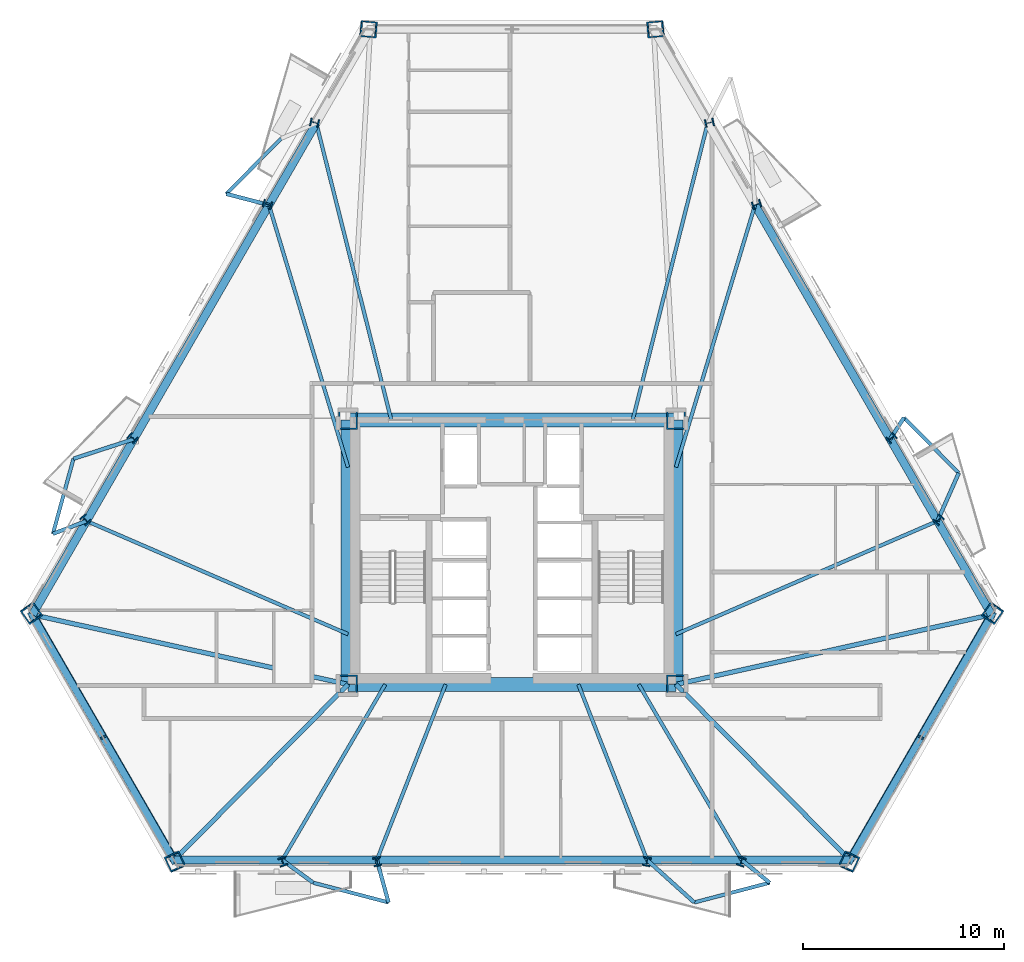
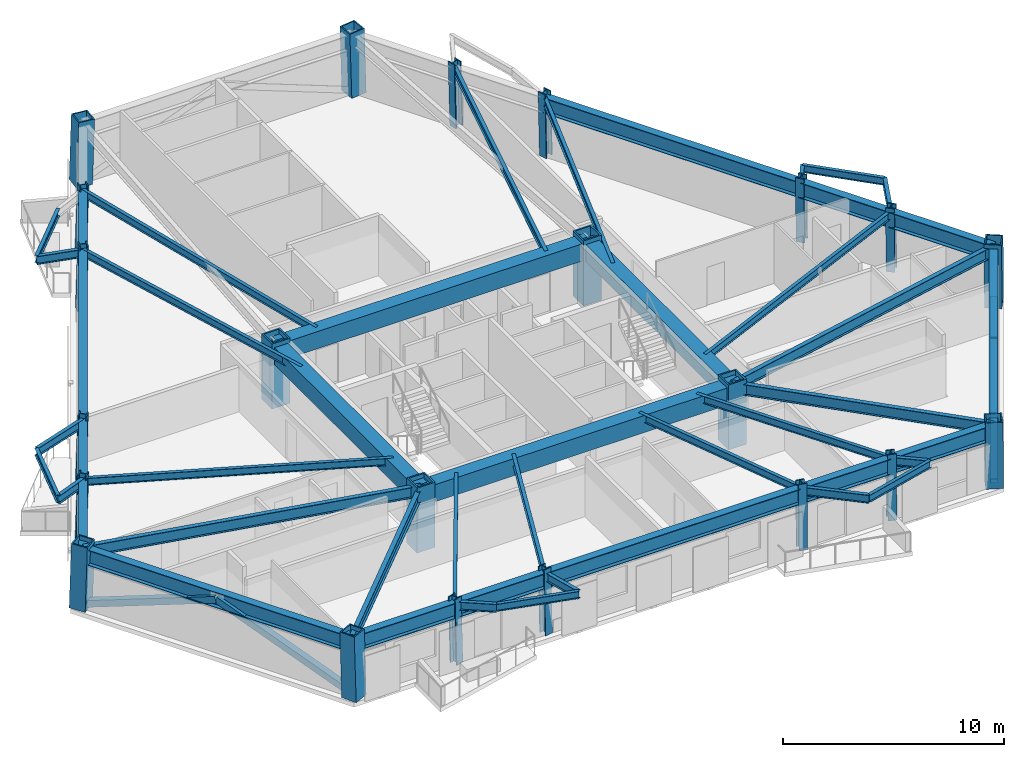
# One storey, part 1 of 10: 46 beams, 22 columns, 4 members.
"""IFC4 building model written with IfcOpenShell, lengths in metres."""

import ifcopenshell
import ifcopenshell.guid

model = None  # the IFC model being written
_history = None  # IfcOwnerHistory: only IFC2X3 demands one
_inside = {}  # id of a spatial element -> (the spatial element, [elements in it])
_under = {}  # id of a project, library or spatial element -> (it, [spatial elements below it])
_declared = {}  # id of a project -> (the project, [libraries it declares])
_typed = {}  # id of a type object -> (the type object, [elements of that type])
_made_of = {}  # id of a material, layer set ... -> (it, [elements and type objects made of it])


def new_model(schema):
    """Start an empty IFC model of exactly this schema.

    Asked for "IFC4X3", IfcOpenShell would pick the latest addendum, in which some entities
    have other attributes; the version numbers below select the first issue.
    IFC2X3 requires an IfcOwnerHistory on every rooted entity: one is made here for all.
    """
    global model, _history
    if schema == "IFC4X3":
        model = ifcopenshell.file(schema_version=(4, 3, 0, 0))
    else:
        model = ifcopenshell.file(schema=schema)
    _inside.clear()
    _under.clear()
    _declared.clear()
    _typed.clear()
    _made_of.clear()
    _history = None
    if model.schema == "IFC2X3":
        org = make("IfcOrganization", Name="unknown")
        user = make(
            "IfcPersonAndOrganization",
            ThePerson=make("IfcPerson", FamilyName="unknown"),
            TheOrganization=org,
        )
        app = make(
            "IfcApplication",
            ApplicationDeveloper=org,
            Version="unknown",
            ApplicationFullName="unknown",
            ApplicationIdentifier="unknown",
        )
        _history = make(
            "IfcOwnerHistory",
            OwningUser=user,
            OwningApplication=app,
            ChangeAction="ADDED",
            CreationDate=0,
        )
    return model


def make(cls, **values):
    """One entity of the class cls with the attributes given. An attribute that is None is left unset."""
    return model.create_entity(
        cls, **{name: value for name, value in values.items() if value is not None}
    )


def rooted(cls, **values):
    """An entity with a GlobalId (a new one), such as an element, a storey or a relation."""
    return make(cls, GlobalId=ifcopenshell.guid.new(), OwnerHistory=_history, **values)


def si_unit(unit_type, name, prefix=None):
    """IfcSIUnit, for example si_unit("LENGTHUNIT", "METRE", prefix="MILLI")."""
    return make("IfcSIUnit", UnitType=unit_type, Prefix=prefix, Name=name)


def assignment(units):
    """IfcUnitAssignment: the units of a project."""
    return None if units is None else make("IfcUnitAssignment", Units=units)


def point(xyz):
    """IfcCartesianPoint."""
    return None if xyz is None else make("IfcCartesianPoint", Coordinates=xyz)


def direction(xyz):
    """IfcDirection."""
    return None if xyz is None else make("IfcDirection", DirectionRatios=xyz)


def frame(location, z_axis=None, x_axis=None):
    """IfcAxis2Placement3D, a coordinate frame: its origin and axes. An axis left out is left unset."""
    return make(
        "IfcAxis2Placement3D",
        Location=point(location),
        Axis=direction(z_axis),
        RefDirection=direction(x_axis),
    )


def frame_2d(location, x_axis=None):
    """IfcAxis2Placement2D, a coordinate frame in the plane: its origin and x axis."""
    return make(
        "IfcAxis2Placement2D", Location=point(location), RefDirection=direction(x_axis)
    )


def origin():
    """The frame at (0, 0, 0) with its axes left unset."""
    return frame((0.0, 0.0, 0.0))


def origin_2d():
    """The frame at (0, 0) in the plane with its x axis left unset."""
    return frame_2d((0.0, 0.0))


def place(relative_to, where):
    """IfcLocalPlacement: puts the frame where relative to a parent placement (None: the world)."""
    return make(
        "IfcLocalPlacement", PlacementRelTo=relative_to, RelativePlacement=where
    )


def context(
    kind, dimensions, precision=None, world=None, true_north=None, identifier=None
):
    """IfcGeometricRepresentationContext, for example the 3D "Model" context."""
    return make(
        "IfcGeometricRepresentationContext",
        ContextIdentifier=identifier,
        ContextType=kind,
        CoordinateSpaceDimension=dimensions,
        Precision=precision,
        WorldCoordinateSystem=world,
        TrueNorth=true_north,
    )


def subcontext(parent, identifier, kind, view, scale=None):
    """IfcGeometricRepresentationSubContext, for example "Body" below "Model"."""
    return make(
        "IfcGeometricRepresentationSubContext",
        ContextIdentifier=identifier,
        ContextType=kind,
        ParentContext=parent,
        TargetScale=scale,
        TargetView=view,
    )


def project(units=None, contexts=None):
    """IfcProject with its units and contexts."""
    return rooted(
        "IfcProject",
        Name="project",
        RepresentationContexts=contexts,
        UnitsInContext=assignment(units),
    )


def spatial(cls, under=None, at=None, **own):
    """A site, building, storey or space (cls), placed at a placement, below another one or the project."""
    s = rooted(cls, ObjectPlacement=at, **own)
    if under is not None:
        _under.setdefault(under.id(), (under, []))[1].append(s)
    return s


def profile(cls, at=None, kind="AREA", **sizes):
    """A parametric profile (cls). Its sizes go by their IFC names, for example OverallWidth=200.0."""
    return make(cls, ProfileType=kind, Position=at, **sizes)


def rectangle(**sizes):
    """IfcRectangleProfileDef."""
    return profile("IfcRectangleProfileDef", **sizes)


def hollow_rectangle(**sizes):
    """IfcRectangleHollowProfileDef."""
    return profile("IfcRectangleHollowProfileDef", **sizes)


def i_section(**sizes):
    """IfcIShapeProfileDef."""
    return profile("IfcIShapeProfileDef", **sizes)


def extrude(swept, where, along, depth):
    """IfcExtrudedAreaSolid: the profile swept, set in the frame where, extruded along a direction by depth."""
    return make(
        "IfcExtrudedAreaSolid",
        SweptArea=swept,
        Position=where,
        ExtrudedDirection=direction(along),
        Depth=depth,
    )


def shape(context_of_items, identifier, shape_type, items):
    """IfcShapeRepresentation: the items that make up one representation, for example the "Body"."""
    return make(
        "IfcShapeRepresentation",
        ContextOfItems=context_of_items,
        RepresentationIdentifier=identifier,
        RepresentationType=shape_type,
        Items=items,
    )


def material(Name=None, Category=None):
    """IfcMaterial."""
    return make("IfcMaterial", Name=Name, Category=Category)


def material_profile(
    of_material, cross_section, Name=None, Category=None, Priority=None
):
    """IfcMaterialProfile: a cross section and its material."""
    return make(
        "IfcMaterialProfile",
        Name=Name,
        Material=of_material,
        Profile=cross_section,
        Priority=Priority,
        Category=Category,
    )


def profile_set(profiles, Name=None, composite=None):
    """IfcMaterialProfileSet."""
    return make(
        "IfcMaterialProfileSet",
        Name=Name,
        MaterialProfiles=profiles,
        CompositeProfile=composite,
    )


def made_of(thing, what):
    """Note that an element or type object is made of a material, layer set ...; save() writes the relation."""
    if what is not None:
        _made_of.setdefault(what.id(), (what, []))[1].append(thing)
    return thing


def type_object(cls, material=None, **own):
    """A type object (cls), such as IfcWallType, which elements share."""
    return made_of(rooted(cls, **own), material)


def element(
    cls,
    number,
    at=None,
    inside=None,
    cuts=None,
    type_object=None,
    material=None,
    context=None,
    identifier="Body",
    shape_type=None,
    held_by="IfcProductDefinitionShape",
    body=None,
    shapes=None,
    **own,
):
    """One element of the class cls, such as IfcWall. Its Tag is "e" and its number.

    at: its placement. inside: the storey or other place that contains it. cuts: it is an
    opening in that element (IfcRelVoidsElement). A single representation is given by context,
    identifier, shape_type and body (its items); several are given by shapes. held_by: the class
    of the entity that holds the representations. save() writes the other relations.
    """
    e = rooted(cls, Tag="e%d" % number, ObjectPlacement=at, **own)
    if body is not None:
        shapes = [shape(context, identifier, shape_type, body)]
    if shapes is not None:
        e.Representation = make(held_by, Representations=shapes)
    if inside is not None:
        _inside.setdefault(inside.id(), (inside, []))[1].append(e)
    if cuts is not None:
        rooted(
            "IfcRelVoidsElement", RelatingBuildingElement=cuts, RelatedOpeningElement=e
        )
    if type_object is not None:
        _typed.setdefault(type_object.id(), (type_object, []))[1].append(e)
    return made_of(e, material)


def aggregate(whole, parts):
    """IfcRelAggregates: a whole, such as a stair, and the parts it consists of."""
    return rooted("IfcRelAggregates", RelatingObject=whole, RelatedObjects=parts)


def save(model, path):
    """Write the relations noted so far, then the file.

    IfcRelAggregates (storeys below a building ...), IfcRelContainedInSpatialStructure (elements
    in a storey), IfcRelDefinesByType, IfcRelAssociatesMaterial and IfcRelDeclares: one each for
    every whole, place, type object, material and project.
    """
    for whole, parts in _under.values():
        aggregate(whole, parts)
    for where, things in _inside.values():
        rooted(
            "IfcRelContainedInSpatialStructure",
            RelatedElements=things,
            RelatingStructure=where,
        )
    for kind, things in _typed.values():
        rooted("IfcRelDefinesByType", RelatedObjects=things, RelatingType=kind)
    for what, things in _made_of.values():
        rooted("IfcRelAssociatesMaterial", RelatedObjects=things, RelatingMaterial=what)
    for by, libraries in _declared.values():
        rooted("IfcRelDeclares", RelatingContext=by, RelatedDefinitions=libraries)
    model.write(path)


model = new_model("IFC4")

# Units and contexts
model_context = context("Model", 3, precision=1e-05, world=origin(), true_north=direction((0.0, 1.0)))
body_context = subcontext(model_context, "Body", "Model", "MODEL_VIEW")
ifc_project = project(units=[si_unit("LENGTHUNIT", "METRE"), si_unit("AREAUNIT", "SQUARE_METRE"), si_unit("VOLUMEUNIT", "CUBIC_METRE"), si_unit("PLANEANGLEUNIT", "RADIAN"), si_unit("MASSUNIT", "GRAM", prefix="KILO")], contexts=[model_context])

# Site, building, storey
site_placement = place(None, origin())
site = spatial("IfcSite", under=ifc_project, at=site_placement, CompositionType="ELEMENT")
building_placement = place(site_placement, origin())
building = spatial("IfcBuilding", under=site, at=building_placement, Name="Oramaril Tower", CompositionType="ELEMENT")
storey_placement = place(building_placement, frame((0.0, 0.0, 56.10009765625)))
storey = spatial("IfcBuildingStorey", under=building, at=storey_placement, Name="L14", CompositionType="ELEMENT", Elevation=56.10009765625)

# Columns
ifc_material_1 = material(Name="Steel ASTM A572 Gr 50", Category="steel")
ifc_material_profile_1 = material_profile(ifc_material_1, hollow_rectangle(XDim=0.949951171875, YDim=0.949951171875, WallThickness=0.080078125, at=origin_2d()), Name="BOX950X950X80")
ifc_profile_set_1 = profile_set([ifc_material_profile_1], Name="Steel ASTM A572 Gr 50")
column_type_1 = type_object("IfcColumnType", Name="CT-CC2", PredefinedType="COLUMN", material=ifc_profile_set_1)
for number, where, z_axis, x_axis, name in (
    (1, (29.35009765625, 11.0, 0.0), (0.0, 0.0, 1.0), (1.0, 0.0, 0.0), "L14 Core Column CC-1"),
    (2, (45.64990234375, 11.0, 0.0), (0.0, 0.0, 1.0), (1.0, 0.0, 0.0), "L14 Core Column CC-2"),
    (3, (45.64990234375, 24.14990234375, 0.0), (0.0, 0.0, 1.0), (1.0, 0.0, 0.0), "L14 Core Column CC-3"),
    (4, (29.35009765625, 24.14990234375, 0.0), (0.0, 0.0, 1.0), (1.0, 0.0, 0.0), "L14 Core Column CC-4"),
):
    element("IfcColumn", number, at=place(storey_placement, frame(where, z_axis=z_axis, x_axis=x_axis)), inside=storey, type_object=column_type_1, Name=name, PredefinedType="COLUMN", context=body_context, shape_type="SweptSolid", body=[
        extrude(hollow_rectangle(XDim=0.949951171875, YDim=0.949951171875, WallThickness=0.080078125, at=origin_2d()), origin(), (0.0, 0.0, 1.0), 3.599853515625),
    ])
ifc_material_2 = material(Name="Steel ASTM A572 Gr 50", Category="steel")
ifc_material_profile_2 = material_profile(ifc_material_2, hollow_rectangle(XDim=0.800048828125, YDim=0.800048828125, WallThickness=0.06494140625, at=origin_2d()), Name="BOX800X800X65")
ifc_profile_set_2 = profile_set([ifc_material_profile_2], Name="Steel ASTM A572 Gr 50")
column_type_2 = type_object("IfcColumnType", Name="CT-TC3", PredefinedType="COLUMN", material=ifc_profile_set_2)
for number, where, z_axis, x_axis, name in (
    (5, (13.60400390625, 14.55859375, 0.00439453125), (0.017192634037, -0.024531782164, 0.999551201789), (0.818912078135, 0.573918991047, 0.0), "L14 Tube Column TC-01"),
    (6, (20.753173828125, 2.17626953125, 0.00439453125), (-0.012707603766, 0.02711408504, 0.999551571055), (-0.905486188563, -0.424375732484, 0.0), "L14 Tube Column TC-02"),
    (7, (54.246826171875, 2.17626953125, 0.00439453125), (0.012707603766, 0.02711408504, 0.999551571055), (-0.905486188563, 0.424375732484, 0.0), "L14 Tube Column TC-03"),
    (8, (61.39599609375, 14.55859375, 0.00439453125), (-0.017192634037, -0.024531782164, 0.999551201789), (0.818912078135, -0.573918991047, 0.0), "L14 Tube Column TC-04"),
    (9, (44.64892578125, 43.565185546875, 0.00439453125), (-0.029832289398, -0.002582293843, 0.999551582595), (0.08623789021, -0.996274573746, 0.0), "L14 Tube Column TC-05"),
    (10, (30.35107421875, 43.565185546875, 0.00439453125), (0.029832289398, -0.002582293843, 0.999551582595), (0.08623789021, 0.996274573746, 0.0), "L14 Tube Column TC-06"),
):
    element("IfcColumn", number, at=place(storey_placement, frame(where, z_axis=z_axis, x_axis=x_axis)), inside=storey, type_object=column_type_2, Name=name, PredefinedType="COLUMN", context=body_context, shape_type="SweptSolid", body=[
        extrude(hollow_rectangle(XDim=0.800048828125, YDim=0.800048828125, WallThickness=0.06494140625, at=origin_2d()), origin(), (0.0, 0.0, 1.0), 3.5927734375),
    ])
ifc_material_3 = material(Name="Steel ASTM A572 Gr 50", Category="steel")
ifc_material_profile_3 = material_profile(ifc_material_3, i_section(OverallWidth=0.410888671875, OverallDepth=0.43408203125, WebThickness=0.035888671875, FlangeThickness=0.057373046875, at=origin_2d()), Name="W14X311")
ifc_profile_set_3 = profile_set([ifc_material_profile_3], Name="Steel ASTM A572 Gr 50")
column_type_3 = type_object("IfcColumnType", Name="CT-TF2", PredefinedType="COLUMN", material=ifc_profile_set_3)
for number, where, z_axis, x_axis, name in (
    (11, (26.112060546875, 2.17626953125, 0.00439453125), (-0.008562720138, 0.027115280436, 0.999595638941), (-0.953582665134, -0.301131367937, 0.0), "L14 Tube Column TC-07"),
    (12, (30.80126953125, 2.17626953125, 0.00439453125), (-0.005096977877, 0.027115922308, 0.999619301321), (-0.98278843224, -0.184734667714, 0.0), "L14 Tube Column TC-08"),
    (13, (44.19873046875, 2.17626953125, 0.00439453125), (0.005096977877, 0.027115922308, 0.999619301321), (-0.98278843224, 0.184734667714, 0.0), "L14 Tube Column TC-09"),
    (14, (48.887939453125, 2.17626953125, 0.00439453125), (0.008562720138, 0.027115280436, 0.999595638941), (-0.953582665134, 0.301131367937, 0.0), "L14 Tube Column TC-10"),
    (15, (58.71630859375, 19.19970703125, 0.00439453125), (-0.019164158959, -0.021066983253, 0.999594376349), (0.739724088956, -0.672910300276, 0.0), "L14 Tube Column TC-11"),
    (16, (56.371826171875, 23.260498046875, 0.00439453125), (-0.020999531834, -0.017941347586, 0.99961849108), (0.649574757479, -0.760297727503, 0.0), "L14 Tube Column TC-12"),
    (17, (49.673095703125, 34.86328125, 0.00439453125), (-0.026028545449, -0.009242512222, 0.999618472613), (0.334621317278, -0.942352680276, 0.0), "L14 Tube Column TC-13"),
    (18, (47.32861328125, 38.924072265625, 0.00439453125), (-0.027862747243, -0.006116212809, 0.999593046823), (0.214407294843, -0.976744343172, 0.0), "L14 Tube Column TC-14"),
    (19, (27.67138671875, 38.924072265625, 0.00439453125), (0.027862747243, -0.006116212809, 0.999593046823), (0.214407294843, 0.976744343172, 0.0), "L14 Tube Column TC-15"),
    (20, (25.326904296875, 34.86328125, 0.00439453125), (0.026028545449, -0.009242512222, 0.999618472613), (0.334621317278, 0.942352680276, 0.0), "L14 Tube Column TC-16"),
    (21, (18.628173828125, 23.260498046875, 0.00439453125), (0.020999531834, -0.017941347586, 0.99961849108), (0.649574757479, 0.760297727503, 0.0), "L14 Tube Column TC-17"),
    (22, (16.28369140625, 19.19970703125, 0.00439453125), (0.019164158959, -0.021066983253, 0.999594376349), (0.739724088956, 0.672910300276, 0.0), "L14 Tube Column TC-18"),
):
    element("IfcColumn", number, at=place(storey_placement, frame(where, z_axis=z_axis, x_axis=x_axis)), inside=storey, type_object=column_type_3, Name=name, PredefinedType="COLUMN", context=body_context, shape_type="SweptSolid", body=[
        extrude(i_section(OverallWidth=0.410888671875, OverallDepth=0.43408203125, WebThickness=0.035888671875, FlangeThickness=0.057373046875, at=origin_2d()), origin(), (0.0, 0.0, 1.0), 3.592529296875),
    ])

# Beams
ifc_material_4 = material(Name="Steel ASTM A572 Gr 50", Category="steel")
ifc_material_profile_4 = material_profile(ifc_material_4, i_section(OverallWidth=0.19091796875, OverallDepth=0.45703125, WebThickness=0.009033203125, FlangeThickness=0.014404296875, at=origin_2d()), Name="W18X50")
ifc_profile_set_4 = profile_set([ifc_material_profile_4], Name="Steel ASTM A572 Gr 50")
beam_type_1 = type_object("IfcBeamType", Name="BT-BB1", PredefinedType="BEAM", material=ifc_profile_set_4)
beam_1_placement = place(storey_placement, frame((26.081298828125, 2.273681640625, 3.13134765625), z_axis=(0.806539223351, -0.591180582561, 0.0), x_axis=(0.591180582561, 0.806539223351, 0.0)))
element("IfcBeam", 23, at=beam_1_placement, inside=storey, type_object=beam_type_1, Name="L14 Balcony Column-Framed Cantilever 01.1", PredefinedType="BEAM", context=body_context, shape_type="SweptSolid", body=[
    extrude(i_section(OverallWidth=0.19091796875, OverallDepth=0.45703125, WebThickness=0.009033203125, FlangeThickness=0.014404296875, at=origin_2d()), origin(), (0.0, 0.0, 1.0), 1.907958984375),
])
beam_2_placement = place(storey_placement, frame((30.782958984375, 2.273681640625, 3.13134765625), z_axis=(0.265742939803, -0.964043925319, 0.0), x_axis=(0.964043925319, 0.265742939803, 0.0)))
element("IfcBeam", 24, at=beam_2_placement, inside=storey, type_object=beam_type_1, Name="L14 Balcony Column-Framed Cantilever 01.2", PredefinedType="BEAM", context=body_context, shape_type="SweptSolid", body=[
    extrude(i_section(OverallWidth=0.19091796875, OverallDepth=0.45703125, WebThickness=0.009033203125, FlangeThickness=0.014404296875, at=origin_2d()), origin(), (0.0, 0.0, 1.0), 2.1865234375),
])
beam_3_placement = place(storey_placement, frame((44.217041015625, 2.273681640625, 3.13134765625), z_axis=(0.743559800402, -0.66866944242, 0.0), x_axis=(0.66866944242, 0.743559800402, 0.0)))
element("IfcBeam", 25, at=beam_3_placement, inside=storey, type_object=beam_type_1, Name="L14 Balcony Column-Framed Cantilever 02.1", PredefinedType="BEAM", context=body_context, shape_type="SweptSolid", body=[
    extrude(i_section(OverallWidth=0.19091796875, OverallDepth=0.45703125, WebThickness=0.009033203125, FlangeThickness=0.014404296875, at=origin_2d()), origin(), (0.0, 0.0, 1.0), 3.15234375),
])
beam_4_placement = place(storey_placement, frame((48.918701171875, 2.273681640625, 3.13134765625), z_axis=(0.775670871224, -0.631137623292, 0.0), x_axis=(0.631137623292, 0.775670871224, 0.0)))
element("IfcBeam", 26, at=beam_4_placement, inside=storey, type_object=beam_type_1, Name="L14 Balcony Column-Framed Cantilever 02.2", PredefinedType="BEAM", context=body_context, shape_type="SweptSolid", body=[
    extrude(i_section(OverallWidth=0.19091796875, OverallDepth=0.45703125, WebThickness=0.009033203125, FlangeThickness=0.014404296875, at=origin_2d()), origin(), (0.0, 0.0, 1.0), 1.787109375),
])
beam_5_placement = place(storey_placement, frame((58.6474609375, 19.1240234375, 3.13134765625), z_axis=(0.404662481134, 0.914466115481, 0.0), x_axis=(-0.914466115481, 0.404662481134, 0.0)))
element("IfcBeam", 27, at=beam_5_placement, inside=storey, type_object=beam_type_1, Name="L14 Balcony Column-Framed Cantilever 03.1", PredefinedType="BEAM", context=body_context, shape_type="SweptSolid", body=[
    extrude(i_section(OverallWidth=0.19091796875, OverallDepth=0.45703125, WebThickness=0.009033203125, FlangeThickness=0.014404296875, at=origin_2d()), origin(), (0.0, 0.0, 1.0), 2.60986328125),
])
beam_6_placement = place(storey_placement, frame((56.29638671875, 23.196044921875, 3.13134765625), z_axis=(0.541039567981, 0.840997137854, 0.0), x_axis=(-0.840997137854, 0.541039567981, 0.0)))
element("IfcBeam", 28, at=beam_6_placement, inside=storey, type_object=beam_type_1, Name="L14 Balcony Column-Framed Cantilever 03.2", PredefinedType="BEAM", context=body_context, shape_type="SweptSolid", body=[
    extrude(i_section(OverallWidth=0.19091796875, OverallDepth=0.45703125, WebThickness=0.009033203125, FlangeThickness=0.014404296875, at=origin_2d()), origin(), (0.0, 0.0, 1.0), 1.268798828125),
])
beam_7_placement = place(storey_placement, frame((25.42041015625, 34.830078125, 3.13134765625), z_axis=(-0.967725085471, 0.252008251749, 0.0), x_axis=(-0.252008251749, -0.967725085471, 0.0)))
element("IfcBeam", 29, at=beam_7_placement, inside=storey, type_object=beam_type_1, Name="L14 Balcony Column-Framed Cantilever 05.2", PredefinedType="BEAM", context=body_context, shape_type="SweptSolid", body=[
    extrude(i_section(OverallWidth=0.19091796875, OverallDepth=0.45703125, WebThickness=0.009033203125, FlangeThickness=0.014404296875, at=origin_2d()), origin(), (0.0, 0.0, 1.0), 2.1865234375),
])
beam_8_placement = place(storey_placement, frame((18.70361328125, 23.196044921875, 3.13134765625), z_axis=(-0.950867190268, -0.309599073759, 0.0), x_axis=(0.309599073759, -0.950867190268, 0.0)))
element("IfcBeam", 30, at=beam_8_placement, inside=storey, type_object=beam_type_1, Name="L14 Balcony Column-Framed Cantilever 06.1", PredefinedType="BEAM", context=body_context, shape_type="SweptSolid", body=[
    extrude(i_section(OverallWidth=0.19091796875, OverallDepth=0.45703125, WebThickness=0.009033203125, FlangeThickness=0.014404296875, at=origin_2d()), origin(), (0.0, 0.0, 1.0), 3.152587890625),
])
beam_9_placement = place(storey_placement, frame((16.3525390625, 19.1240234375, 3.13134765625), z_axis=(-0.934429290077, -0.35614870749, 0.0), x_axis=(0.35614870749, -0.934429290077, 0.0)))
element("IfcBeam", 31, at=beam_9_placement, inside=storey, type_object=beam_type_1, Name="L14 Balcony Column-Framed Cantilever 06.2", PredefinedType="BEAM", context=body_context, shape_type="SweptSolid", body=[
    extrude(i_section(OverallWidth=0.19091796875, OverallDepth=0.45703125, WebThickness=0.009033203125, FlangeThickness=0.014404296875, at=origin_2d()), origin(), (0.0, 0.0, 1.0), 1.787109375),
])
ifc_material_5 = material(Name="Concrete C50/60", Category="concrete")
ifc_material_profile_5 = material_profile(ifc_material_5, rectangle(XDim=0.699951171875, YDim=0.949951171875, at=origin_2d()), Name="CB700X950")
ifc_profile_set_5 = profile_set([ifc_material_profile_5], Name="Concrete C50/60")
beam_type_2 = type_object("IfcBeamType", Name="BT-CB1", PredefinedType="BEAM", material=ifc_profile_set_5)
beam_10_placement = place(storey_placement, frame((29.35009765625, 11.0, 2.885009765625), z_axis=(1.0, 0.0, 0.0), x_axis=(0.0, 1.0, 0.0)))
element("IfcBeam", 32, at=beam_10_placement, inside=storey, type_object=beam_type_2, Name="L14 Core Header Beam CB-1", PredefinedType="BEAM", context=body_context, shape_type="SweptSolid", body=[
    extrude(rectangle(XDim=0.699951171875, YDim=0.949951171875, at=origin_2d()), origin(), (0.0, 0.0, 1.0), 16.2998046875),
])
beam_11_placement = place(storey_placement, frame((45.64990234375, 11.0, 2.885009765625), z_axis=(0.0, 1.0, 0.0), x_axis=(-1.0, 0.0, 0.0)))
element("IfcBeam", 33, at=beam_11_placement, inside=storey, type_object=beam_type_2, Name="L14 Core Header Beam CB-2", PredefinedType="BEAM", context=body_context, shape_type="SweptSolid", body=[
    extrude(rectangle(XDim=0.699951171875, YDim=0.949951171875, at=origin_2d()), origin(), (0.0, 0.0, 1.0), 13.14990234375),
])
beam_12_placement = place(storey_placement, frame((45.64990234375, 24.14990234375, 2.885009765625), z_axis=(-1.0, 0.0, 0.0), x_axis=(0.0, -1.0, 0.0)))
element("IfcBeam", 34, at=beam_12_placement, inside=storey, type_object=beam_type_2, Name="L14 Core Header Beam CB-3", PredefinedType="BEAM", context=body_context, shape_type="SweptSolid", body=[
    extrude(rectangle(XDim=0.699951171875, YDim=0.949951171875, at=origin_2d()), origin(), (0.0, 0.0, 1.0), 16.2998046875),
])
beam_13_placement = place(storey_placement, frame((29.35009765625, 24.14990234375, 2.885009765625), z_axis=(0.0, -1.0, 0.0), x_axis=(1.0, 0.0, 0.0)))
element("IfcBeam", 35, at=beam_13_placement, inside=storey, type_object=beam_type_2, Name="L14 Core Header Beam CB-4", PredefinedType="BEAM", context=body_context, shape_type="SweptSolid", body=[
    extrude(rectangle(XDim=0.699951171875, YDim=0.949951171875, at=origin_2d()), origin(), (0.0, 0.0, 1.0), 13.14990234375),
])
ifc_material_6 = material(Name="Steel ASTM A572 Gr 50", Category="steel")
ifc_material_profile_6 = material_profile(ifc_material_6, i_section(OverallWidth=0.22900390625, OverallDepth=0.612060546875, WebThickness=0.011962890625, FlangeThickness=0.01953125, at=origin_2d()), Name="W24X84")
ifc_profile_set_6 = profile_set([ifc_material_profile_6], Name="Steel ASTM A572 Gr 50")
beam_type_3 = type_object("IfcBeamType", Name="BT-FB1", PredefinedType="BEAM", material=ifc_profile_set_6)
beam_14_placement = place(storey_placement, frame((29.35009765625, 11.0, 3.053955078125), z_axis=(-0.976383698839, 0.216043682253, 0.0), x_axis=(-0.216043682253, -0.976383698839, 0.0)))
element("IfcBeam", 36, at=beam_14_placement, inside=storey, type_object=beam_type_3, Name="L14 Radial Primary Beam RB-01", PredefinedType="BEAM", context=body_context, shape_type="SweptSolid", body=[
    extrude(i_section(OverallWidth=0.22900390625, OverallDepth=0.612060546875, WebThickness=0.011962890625, FlangeThickness=0.01953125, at=origin_2d()), origin(), (0.0, 0.0, 1.0), 16.063720703125),
])
for number, where, z_axis, x_axis, name in (
    (37, (29.35009765625, 11.0, 3.053955078125), (-0.703689446139, -0.710507680038, 0.0), (0.710507680038, -0.703689446139, 0.0), "L14 Radial Primary Beam RB-02"),
    (38, (45.64990234375, 11.0, 3.053955078125), (0.703689446139, -0.710507680038, 0.0), (0.710507680038, 0.703689446139, 0.0), "L14 Radial Primary Beam RB-03"),
):
    element("IfcBeam", number, at=place(storey_placement, frame(where, z_axis=z_axis, x_axis=x_axis)), inside=storey, type_object=beam_type_3, Name=name, PredefinedType="BEAM", context=body_context, shape_type="SweptSolid", body=[
        extrude(i_section(OverallWidth=0.22900390625, OverallDepth=0.612060546875, WebThickness=0.011962890625, FlangeThickness=0.01953125, at=origin_2d()), origin(), (0.0, 0.0, 1.0), 12.28173828125),
    ])
beam_15_placement = place(storey_placement, frame((45.64990234375, 11.0, 3.053955078125), z_axis=(0.976383698839, 0.216043682253, 0.0), x_axis=(-0.216043682253, 0.976383698839, 0.0)))
element("IfcBeam", 39, at=beam_15_placement, inside=storey, type_object=beam_type_3, Name="L14 Radial Primary Beam RB-04", PredefinedType="BEAM", context=body_context, shape_type="SweptSolid", body=[
    extrude(i_section(OverallWidth=0.22900390625, OverallDepth=0.612060546875, WebThickness=0.011962890625, FlangeThickness=0.01953125, at=origin_2d()), origin(), (0.0, 0.0, 1.0), 16.063720703125),
])
ifc_material_7 = material(Name="Steel ASTM A572 Gr 50", Category="steel")
ifc_material_profile_7 = material_profile(ifc_material_7, i_section(OverallWidth=0.177978515625, OverallDepth=0.404052734375, WebThickness=0.007568359375, FlangeThickness=0.010986328125, at=origin_2d()), Name="W16X36")
ifc_profile_set_7 = profile_set([ifc_material_profile_7], Name="Steel ASTM A572 Gr 50")
beam_type_4 = type_object("IfcBeamType", Name="BT-SB1", PredefinedType="BEAM", material=ifc_profile_set_7)
beam_16_placement = place(storey_placement, frame((31.199951171875, 11.0, 3.157958984375), z_axis=(-0.50595668136, -0.862558888765, 0.0), x_axis=(0.862558888765, -0.50595668136, 0.0)))
element("IfcBeam", 40, at=beam_16_placement, inside=storey, type_object=beam_type_4, Name="L14 Secondary Floor Beam SB-01", PredefinedType="BEAM", context=body_context, shape_type="SweptSolid", body=[
    extrude(i_section(OverallWidth=0.177978515625, OverallDepth=0.404052734375, WebThickness=0.007568359375, FlangeThickness=0.010986328125, at=origin_2d()), origin(), (0.0, 0.0, 1.0), 10.11669921875),
])
for number, where, z_axis, x_axis, name in (
    (41, (34.199951171875, 11.0, 3.157958984375), (-0.364616420055, -0.931157809518, 0.0), (0.931157809518, -0.364616420055, 0.0), "L14 Secondary Floor Beam SB-02"),
    (42, (40.800048828125, 11.0, 3.157958984375), (0.364616420055, -0.931157809518, 0.0), (0.931157809518, 0.364616420055, 0.0), "L14 Secondary Floor Beam SB-03"),
):
    element("IfcBeam", number, at=place(storey_placement, frame(where, z_axis=z_axis, x_axis=x_axis)), inside=storey, type_object=beam_type_4, Name=name, PredefinedType="BEAM", context=body_context, shape_type="SweptSolid", body=[
        extrude(i_section(OverallWidth=0.177978515625, OverallDepth=0.404052734375, WebThickness=0.007568359375, FlangeThickness=0.010986328125, at=origin_2d()), origin(), (0.0, 0.0, 1.0), 9.37158203125),
    ])
beam_17_placement = place(storey_placement, frame((43.800048828125, 11.0, 3.157958984375), z_axis=(0.50595668136, -0.862558888765, 0.0), x_axis=(0.862558888765, 0.50595668136, 0.0)))
element("IfcBeam", 43, at=beam_17_placement, inside=storey, type_object=beam_type_4, Name="L14 Secondary Floor Beam SB-04", PredefinedType="BEAM", context=body_context, shape_type="SweptSolid", body=[
    extrude(i_section(OverallWidth=0.177978515625, OverallDepth=0.404052734375, WebThickness=0.007568359375, FlangeThickness=0.010986328125, at=origin_2d()), origin(), (0.0, 0.0, 1.0), 10.11669921875),
])
beam_18_placement = place(storey_placement, frame((45.64990234375, 13.5, 3.157958984375), z_axis=(0.917768070459, 0.397116820149, 0.0), x_axis=(-0.397116820149, 0.917768070459, 0.0)))
element("IfcBeam", 44, at=beam_18_placement, inside=storey, type_object=beam_type_4, Name="L14 Secondary Floor Beam SB-05", PredefinedType="BEAM", context=body_context, shape_type="SweptSolid", body=[
    extrude(i_section(OverallWidth=0.177978515625, OverallDepth=0.404052734375, WebThickness=0.007568359375, FlangeThickness=0.010986328125, at=origin_2d()), origin(), (0.0, 0.0, 1.0), 14.162109375),
])
beam_19_placement = place(storey_placement, frame((45.64990234375, 21.800048828125, 3.157958984375), z_axis=(0.288741534518, 0.957407084914, 0.0), x_axis=(-0.957407084914, 0.288741534518, 0.0)))
element("IfcBeam", 45, at=beam_19_placement, inside=storey, type_object=beam_type_4, Name="L14 Secondary Floor Beam SB-06", PredefinedType="BEAM", context=body_context, shape_type="SweptSolid", body=[
    extrude(i_section(OverallWidth=0.177978515625, OverallDepth=0.404052734375, WebThickness=0.007568359375, FlangeThickness=0.010986328125, at=origin_2d()), origin(), (0.0, 0.0, 1.0), 13.609619140625),
])
for number, where, z_axis, x_axis, name in (
    (46, (43.5, 24.14990234375, 3.157958984375), (0.245037823333, 0.969513519832, 0.0), (-0.969513519832, 0.245037823333, 0.0), "L14 Secondary Floor Beam SB-07"),
    (47, (31.5, 24.14990234375, 3.157958984375), (-0.245037823333, 0.969513519832, 0.0), (-0.969513519832, -0.245037823333, 0.0), "L14 Secondary Floor Beam SB-08"),
):
    element("IfcBeam", number, at=place(storey_placement, frame(where, z_axis=z_axis, x_axis=x_axis)), inside=storey, type_object=beam_type_4, Name=name, PredefinedType="BEAM", context=body_context, shape_type="SweptSolid", body=[
        extrude(i_section(OverallWidth=0.177978515625, OverallDepth=0.404052734375, WebThickness=0.007568359375, FlangeThickness=0.010986328125, at=origin_2d()), origin(), (0.0, 0.0, 1.0), 15.216064453125),
    ])
beam_20_placement = place(storey_placement, frame((29.35009765625, 21.800048828125, 3.157958984375), z_axis=(-0.288741534518, 0.957407084914, 0.0), x_axis=(-0.957407084914, -0.288741534518, 0.0)))
element("IfcBeam", 48, at=beam_20_placement, inside=storey, type_object=beam_type_4, Name="L14 Secondary Floor Beam SB-09", PredefinedType="BEAM", context=body_context, shape_type="SweptSolid", body=[
    extrude(i_section(OverallWidth=0.177978515625, OverallDepth=0.404052734375, WebThickness=0.007568359375, FlangeThickness=0.010986328125, at=origin_2d()), origin(), (0.0, 0.0, 1.0), 13.609619140625),
])
beam_21_placement = place(storey_placement, frame((29.35009765625, 13.5, 3.157958984375), z_axis=(-0.917768070459, 0.397116820149, 0.0), x_axis=(-0.397116820149, -0.917768070459, 0.0)))
element("IfcBeam", 49, at=beam_21_placement, inside=storey, type_object=beam_type_4, Name="L14 Secondary Floor Beam SB-10", PredefinedType="BEAM", context=body_context, shape_type="SweptSolid", body=[
    extrude(i_section(OverallWidth=0.177978515625, OverallDepth=0.404052734375, WebThickness=0.007568359375, FlangeThickness=0.010986328125, at=origin_2d()), origin(), (0.0, 0.0, 1.0), 14.162109375),
])
for number, where, z_axis, x_axis, name in (
    (50, (27.6201171875, 1.145751953125, 3.157958984375), (0.967407922874, -0.253223045479, 0.0), (0.253223045479, 0.967407922874, 0.0), "L14 Balcony Edge Tie Beam 01"),
    (51, (46.56103515625, 0.165771484375, 3.157958984375), (0.967407922874, 0.253223045479, 0.0), (-0.253223045479, 0.967407922874, 0.0), "L14 Balcony Edge Tie Beam 02"),
    (52, (59.70361328125, 21.5107421875, 3.157958984375), (-0.702994511648, 0.71119527318, 0.0), (-0.71119527318, -0.702994511648, 0.0), "L14 Balcony Edge Tie Beam 03"),
    (53, (26.025146484375, 38.133544921875, 3.157958984375), (-0.702994511648, -0.71119527318, 0.0), (0.71119527318, -0.702994511648, 0.0), "L14 Balcony Edge Tie Beam 05"),
    (54, (15.705810546875, 22.219970703125, 3.157958984375), (-0.264382243015, -0.964417974521, 0.0), (0.964417974521, -0.264382243015, 0.0), "L14 Balcony Edge Tie Beam 06"),
):
    element("IfcBeam", number, at=place(storey_placement, frame(where, z_axis=z_axis, x_axis=x_axis)), inside=storey, type_object=beam_type_4, Name=name, PredefinedType="BEAM", context=body_context, shape_type="SweptSolid", body=[
        extrude(i_section(OverallWidth=0.177978515625, OverallDepth=0.404052734375, WebThickness=0.007568359375, FlangeThickness=0.010986328125, at=origin_2d()), origin(), (0.0, 0.0, 1.0), 3.8701171875),
    ])
ifc_material_8 = material(Name="Steel ASTM A572 Gr 50", Category="steel")
ifc_material_profile_8 = material_profile(ifc_material_8, i_section(OverallWidth=0.40087890625, OverallDepth=0.85595703125, WebThickness=0.018310546875, FlangeThickness=0.029296875, at=origin_2d()), Name="W33X201")
ifc_profile_set_8 = profile_set([ifc_material_profile_8], Name="Steel ASTM A572 Gr 50")
beam_type_5 = type_object("IfcBeamType", Name="BT-SP1", PredefinedType="SPANDREL", material=ifc_profile_set_8)
beam_22_placement = place(storey_placement, frame((13.665771484375, 14.470458984375, 2.931884765625), z_axis=(0.499996557917, -0.866027391063, 0.0), x_axis=(0.866027391063, 0.499996557917, 0.0)))
element("IfcBeam", 55, at=beam_22_placement, inside=storey, type_object=beam_type_5, Name="L14 Perimeter Spandrel 01", PredefinedType="SPANDREL", context=body_context, shape_type="SweptSolid", body=[
    extrude(i_section(OverallWidth=0.40087890625, OverallDepth=0.85595703125, WebThickness=0.018310546875, FlangeThickness=0.029296875, at=origin_2d()), origin(), (0.0, 0.0, 1.0), 14.08349609375),
])
beam_23_placement = place(storey_placement, frame((20.70751953125, 2.273681640625, 2.931884765625), z_axis=(1.0, 0.0, 0.0), x_axis=(0.0, 1.0, 0.0)))
element("IfcBeam", 56, at=beam_23_placement, inside=storey, type_object=beam_type_5, Name="L14 Perimeter Spandrel 02", PredefinedType="SPANDREL", context=body_context, shape_type="SweptSolid", body=[
    extrude(i_section(OverallWidth=0.40087890625, OverallDepth=0.85595703125, WebThickness=0.018310546875, FlangeThickness=0.029296875, at=origin_2d()), origin(), (0.0, 0.0, 1.0), 5.373779296875),
])
beam_24_placement = place(storey_placement, frame((26.081298828125, 2.273681640625, 2.931884765625), z_axis=(1.0, 0.0, 0.0), x_axis=(0.0, 1.0, 0.0)))
element("IfcBeam", 57, at=beam_24_placement, inside=storey, type_object=beam_type_5, Name="L14 Perimeter Spandrel 03", PredefinedType="SPANDREL", context=body_context, shape_type="SweptSolid", body=[
    extrude(i_section(OverallWidth=0.40087890625, OverallDepth=0.85595703125, WebThickness=0.018310546875, FlangeThickness=0.029296875, at=origin_2d()), origin(), (0.0, 0.0, 1.0), 4.70166015625),
])
beam_25_placement = place(storey_placement, frame((30.782958984375, 2.273681640625, 2.931884765625), z_axis=(1.0, 0.0, 0.0), x_axis=(0.0, 1.0, 0.0)))
element("IfcBeam", 58, at=beam_25_placement, inside=storey, type_object=beam_type_5, Name="L14 Perimeter Spandrel 04", PredefinedType="SPANDREL", context=body_context, shape_type="SweptSolid", body=[
    extrude(i_section(OverallWidth=0.40087890625, OverallDepth=0.85595703125, WebThickness=0.018310546875, FlangeThickness=0.029296875, at=origin_2d()), origin(), (0.0, 0.0, 1.0), 13.43408203125),
])
beam_26_placement = place(storey_placement, frame((44.217041015625, 2.273681640625, 2.931884765625), z_axis=(1.0, 0.0, 0.0), x_axis=(0.0, 1.0, 0.0)))
element("IfcBeam", 59, at=beam_26_placement, inside=storey, type_object=beam_type_5, Name="L14 Perimeter Spandrel 05", PredefinedType="SPANDREL", context=body_context, shape_type="SweptSolid", body=[
    extrude(i_section(OverallWidth=0.40087890625, OverallDepth=0.85595703125, WebThickness=0.018310546875, FlangeThickness=0.029296875, at=origin_2d()), origin(), (0.0, 0.0, 1.0), 4.70166015625),
])
beam_27_placement = place(storey_placement, frame((48.918701171875, 2.273681640625, 2.931884765625), z_axis=(1.0, 0.0, 0.0), x_axis=(0.0, 1.0, 0.0)))
element("IfcBeam", 60, at=beam_27_placement, inside=storey, type_object=beam_type_5, Name="L14 Perimeter Spandrel 06", PredefinedType="SPANDREL", context=body_context, shape_type="SweptSolid", body=[
    extrude(i_section(OverallWidth=0.40087890625, OverallDepth=0.85595703125, WebThickness=0.018310546875, FlangeThickness=0.029296875, at=origin_2d()), origin(), (0.0, 0.0, 1.0), 5.373779296875),
])
beam_28_placement = place(storey_placement, frame((54.29248046875, 2.273681640625, 2.931884765625), z_axis=(0.499996557917, 0.866027391063, 0.0), x_axis=(-0.866027391063, 0.499996557917, 0.0)))
element("IfcBeam", 61, at=beam_28_placement, inside=storey, type_object=beam_type_5, Name="L14 Perimeter Spandrel 07", PredefinedType="SPANDREL", context=body_context, shape_type="SweptSolid", body=[
    extrude(i_section(OverallWidth=0.40087890625, OverallDepth=0.85595703125, WebThickness=0.018310546875, FlangeThickness=0.029296875, at=origin_2d()), origin(), (0.0, 0.0, 1.0), 14.08349609375),
])
beam_29_placement = place(storey_placement, frame((61.334228515625, 14.470458984375, 2.931884765625), z_axis=(-0.500004311218, 0.866022914687, 0.0), x_axis=(-0.866022914687, -0.500004311218, 0.0)))
element("IfcBeam", 62, at=beam_29_placement, inside=storey, type_object=beam_type_5, Name="L14 Perimeter Spandrel 08", PredefinedType="SPANDREL", context=body_context, shape_type="SweptSolid", body=[
    extrude(i_section(OverallWidth=0.40087890625, OverallDepth=0.85595703125, WebThickness=0.018310546875, FlangeThickness=0.029296875, at=origin_2d()), origin(), (0.0, 0.0, 1.0), 5.37353515625),
])
beam_30_placement = place(storey_placement, frame((58.6474609375, 19.1240234375, 2.931884765625), z_axis=(-0.500014597714, 0.866016975626, 0.0), x_axis=(-0.866016975626, -0.500014597714, 0.0)))
element("IfcBeam", 63, at=beam_30_placement, inside=storey, type_object=beam_type_5, Name="L14 Perimeter Spandrel 09", PredefinedType="SPANDREL", context=body_context, shape_type="SweptSolid", body=[
    extrude(i_section(OverallWidth=0.40087890625, OverallDepth=0.85595703125, WebThickness=0.018310546875, FlangeThickness=0.029296875, at=origin_2d()), origin(), (0.0, 0.0, 1.0), 4.701904296875),
])
beam_31_placement = place(storey_placement, frame((56.29638671875, 23.196044921875, 2.931884765625), z_axis=(-0.499993561365, 0.8660291211, 0.0), x_axis=(-0.8660291211, -0.499993561365, 0.0)))
element("IfcBeam", 64, at=beam_31_placement, inside=storey, type_object=beam_type_5, Name="L14 Perimeter Spandrel 10", PredefinedType="SPANDREL", context=body_context, shape_type="SweptSolid", body=[
    extrude(i_section(OverallWidth=0.40087890625, OverallDepth=0.85595703125, WebThickness=0.018310546875, FlangeThickness=0.029296875, at=origin_2d()), origin(), (0.0, 0.0, 1.0), 13.433837890625),
])
beam_32_placement = place(storey_placement, frame((27.771484375, 38.902099609375, 2.931884765625), z_axis=(-0.500014597714, -0.866016975626, 0.0), x_axis=(0.866016975626, -0.500014597714, 0.0)))
element("IfcBeam", 65, at=beam_32_placement, inside=storey, type_object=beam_type_5, Name="L14 Perimeter Spandrel 15", PredefinedType="SPANDREL", context=body_context, shape_type="SweptSolid", body=[
    extrude(i_section(OverallWidth=0.40087890625, OverallDepth=0.85595703125, WebThickness=0.018310546875, FlangeThickness=0.029296875, at=origin_2d()), origin(), (0.0, 0.0, 1.0), 4.701904296875),
])
beam_33_placement = place(storey_placement, frame((25.42041015625, 34.830078125, 2.931884765625), z_axis=(-0.499993561365, -0.8660291211, 0.0), x_axis=(0.8660291211, -0.499993561365, 0.0)))
element("IfcBeam", 66, at=beam_33_placement, inside=storey, type_object=beam_type_5, Name="L14 Perimeter Spandrel 16", PredefinedType="SPANDREL", context=body_context, shape_type="SweptSolid", body=[
    extrude(i_section(OverallWidth=0.40087890625, OverallDepth=0.85595703125, WebThickness=0.018310546875, FlangeThickness=0.029296875, at=origin_2d()), origin(), (0.0, 0.0, 1.0), 13.433837890625),
])
beam_34_placement = place(storey_placement, frame((18.70361328125, 23.196044921875, 2.931884765625), z_axis=(-0.500014597714, -0.866016975626, 0.0), x_axis=(0.866016975626, -0.500014597714, 0.0)))
element("IfcBeam", 67, at=beam_34_placement, inside=storey, type_object=beam_type_5, Name="L14 Perimeter Spandrel 17", PredefinedType="SPANDREL", context=body_context, shape_type="SweptSolid", body=[
    extrude(i_section(OverallWidth=0.40087890625, OverallDepth=0.85595703125, WebThickness=0.018310546875, FlangeThickness=0.029296875, at=origin_2d()), origin(), (0.0, 0.0, 1.0), 4.701904296875),
])
beam_35_placement = place(storey_placement, frame((16.3525390625, 19.1240234375, 2.931884765625), z_axis=(-0.500004311218, -0.866022914687, 0.0), x_axis=(0.866022914687, -0.500004311218, 0.0)))
element("IfcBeam", 68, at=beam_35_placement, inside=storey, type_object=beam_type_5, Name="L14 Perimeter Spandrel 18", PredefinedType="SPANDREL", context=body_context, shape_type="SweptSolid", body=[
    extrude(i_section(OverallWidth=0.40087890625, OverallDepth=0.85595703125, WebThickness=0.018310546875, FlangeThickness=0.029296875, at=origin_2d()), origin(), (0.0, 0.0, 1.0), 5.37353515625),
])

# Members
ifc_material_9 = material(Name="Steel ASTM A572 Gr 50", Category="steel")
ifc_material_profile_9 = material_profile(ifc_material_9, hollow_rectangle(XDim=0.35009765625, YDim=0.35009765625, WallThickness=0.01611328125, at=origin_2d()), Name="HSS350X350X16")
ifc_profile_set_9 = profile_set([ifc_material_profile_9], Name="Steel ASTM A572 Gr 50")
member_type = type_object("IfcMemberType", Name="MT-KB1", PredefinedType="BRACE", material=ifc_profile_set_9)
for number, where, z_axis, x_axis, name in (
    (69, (13.60400390625, 14.55859375, 0.179931640625), (0.466645435153, -0.80819980809, 0.359242408486), (0.866010992751, 0.500024959811, 0.0), "L14 Perimeter Chevron Brace KB-1A"),
    (70, (20.753173828125, 2.17626953125, 0.179931640625), (-0.466620504282, 0.808211827613, 0.359247751128), (-0.86602578052, -0.499999347474, 0.0), "L14 Perimeter Chevron Brace KB-1B"),
    (71, (54.246826171875, 2.17626953125, 0.179931640625), (0.466620504282, 0.808211827613, 0.359247751128), (-0.86602578052, 0.499999347474, 0.0), "L14 Perimeter Chevron Brace KB-2A"),
    (72, (61.39599609375, 14.55859375, 0.179931640625), (-0.466645435153, -0.80819980809, 0.359242408486), (0.866010992751, -0.500024959811, 0.0), "L14 Perimeter Chevron Brace KB-2B"),
):
    element("IfcMember", number, at=place(storey_placement, frame(where, z_axis=z_axis, x_axis=x_axis)), inside=storey, type_object=member_type, Name=name, PredefinedType="BRACE", context=body_context, shape_type="SweptSolid", body=[
        extrude(hollow_rectangle(XDim=0.35009765625, YDim=0.35009765625, WallThickness=0.01611328125, at=origin_2d()), origin(), (0.0, 0.0, 1.0), 7.660400390625),
    ])

save(model, "model.ifc")
